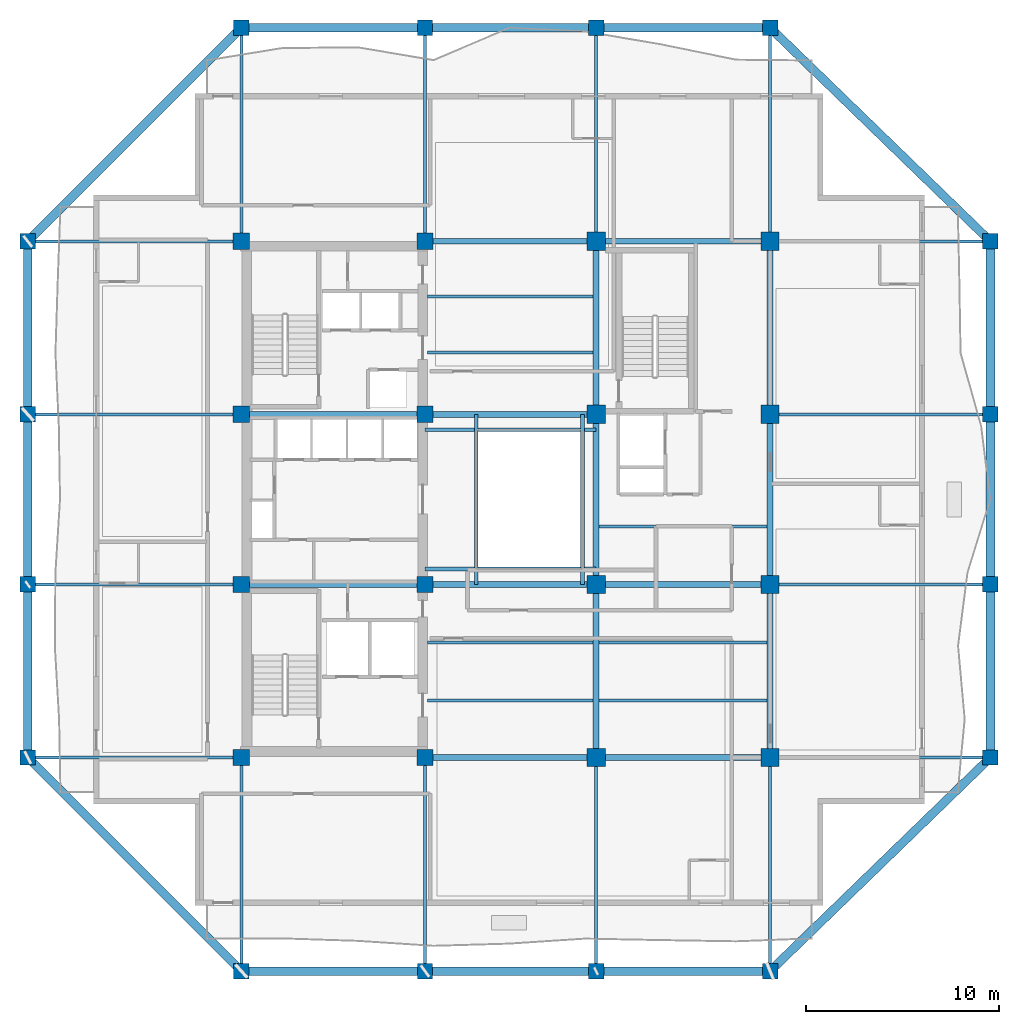
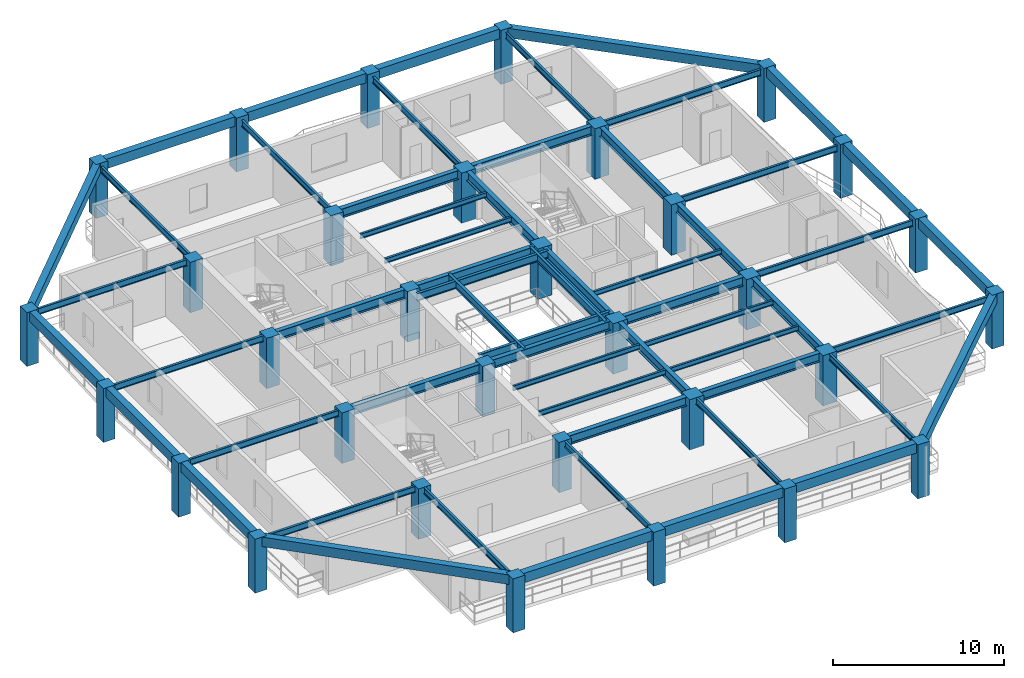
# One storey, part 1 of 12: 58 beams, 32 columns.
"""IFC4 building model written with IfcOpenShell, lengths in metres."""

from ifc_helpers import new_model, si_unit, direction, frame, origin, origin_2d, place, context, subcontext, project, spatial, rectangle, i_section, extrude, material, material_profile, profile_set, type_object, element, save


model = new_model("IFC4")

# Units and contexts
model_context = context("Model", 3, precision=1e-05, world=origin(), true_north=direction((0.0, 1.0)))
body_context = subcontext(model_context, "Body", "Model", "MODEL_VIEW")
ifc_project = project(units=[si_unit("LENGTHUNIT", "METRE"), si_unit("AREAUNIT", "SQUARE_METRE"), si_unit("VOLUMEUNIT", "CUBIC_METRE"), si_unit("PLANEANGLEUNIT", "RADIAN"), si_unit("MASSUNIT", "GRAM", prefix="KILO")], contexts=[model_context])

# Site, building, storey
site_placement = place(None, origin())
site = spatial("IfcSite", under=ifc_project, at=site_placement, CompositionType="ELEMENT")
building_placement = place(site_placement, origin())
building = spatial("IfcBuilding", under=site, at=building_placement, Name="Kundavana Baori Tower", CompositionType="ELEMENT")
storey_placement = place(building_placement, frame((0.0, 0.0, 157.89990234375)))
storey = spatial("IfcBuildingStorey", under=building, at=storey_placement, Name="L38", CompositionType="ELEMENT", Elevation=157.89990234375)

# Columns
ifc_material_1 = material(Name="Concrete C50/60", Category="concrete")
ifc_material_profile_1 = material_profile(ifc_material_1, rectangle(XDim=0.800048828125, YDim=0.800048828125, at=origin_2d()), Name="RC PF 800x800")
ifc_profile_set_1 = profile_set([ifc_material_profile_1], Name="Concrete C50/60")
column_type_1 = type_object("IfcColumnType", Name="COL-PF-800", PredefinedType="COLUMN", material=ifc_profile_set_1)
for number, where, z_axis, x_axis, name in (
    (1, (15.449951171875, 4.199951171875, 0.0), (0.0, 0.0, 1.0), (1.0, 0.0, 0.0), "L38 Stone-Clad Perimeter Frame Column PF-S1"),
    (2, (15.449951171875, 53.0, 0.0), (0.0, 0.0, 1.0), (1.0, 0.0, 0.0), "L38 Stone-Clad Perimeter Frame Column PF-N1"),
    (3, (24.949951171875, 4.199951171875, 0.0), (0.0, 0.0, 1.0), (1.0, 0.0, 0.0), "L38 Stone-Clad Perimeter Frame Column PF-S2"),
    (4, (24.949951171875, 53.0, 0.0), (0.0, 0.0, 1.0), (1.0, 0.0, 0.0), "L38 Stone-Clad Perimeter Frame Column PF-N2"),
    (5, (33.800048828125, 4.199951171875, 0.0), (0.0, 0.0, 1.0), (1.0, 0.0, 0.0), "L38 Stone-Clad Perimeter Frame Column PF-S3"),
    (6, (33.800048828125, 53.0, 0.0), (0.0, 0.0, 1.0), (1.0, 0.0, 0.0), "L38 Stone-Clad Perimeter Frame Column PF-N3"),
    (7, (42.800048828125, 4.199951171875, 0.0), (0.0, 0.0, 1.0), (1.0, 0.0, 0.0), "L38 Stone-Clad Perimeter Frame Column PF-S4"),
    (8, (42.800048828125, 53.0, 0.0), (0.0, 0.0, 1.0), (1.0, 0.0, 0.0), "L38 Stone-Clad Perimeter Frame Column PF-N4"),
    (9, (4.39990234375, 15.25, 0.0), (0.0, 0.0, 1.0), (1.0, 0.0, 0.0), "L38 Stone-Clad Perimeter Frame Column PF-W1"),
    (10, (54.199951171875, 15.25, 0.0), (0.0, 0.0, 1.0), (1.0, 0.0, 0.0), "L38 Stone-Clad Perimeter Frame Column PF-E1"),
    (11, (4.39990234375, 24.199951171875, 0.0), (0.0, 0.0, 1.0), (1.0, 0.0, 0.0), "L38 Stone-Clad Perimeter Frame Column PF-W2"),
    (12, (54.199951171875, 24.199951171875, 0.0), (0.0, 0.0, 1.0), (1.0, 0.0, 0.0), "L38 Stone-Clad Perimeter Frame Column PF-E2"),
    (13, (4.39990234375, 33.0, 0.0), (0.0, 0.0, 1.0), (1.0, 0.0, 0.0), "L38 Stone-Clad Perimeter Frame Column PF-W3"),
    (14, (54.199951171875, 33.0, 0.0), (0.0, 0.0, 1.0), (1.0, 0.0, 0.0), "L38 Stone-Clad Perimeter Frame Column PF-E3"),
    (15, (4.39990234375, 41.949951171875, 0.0), (0.0, 0.0, 1.0), (1.0, 0.0, 0.0), "L38 Stone-Clad Perimeter Frame Column PF-W4"),
    (16, (54.199951171875, 41.949951171875, 0.0), (0.0, 0.0, 1.0), (1.0, 0.0, 0.0), "L38 Stone-Clad Perimeter Frame Column PF-E4"),
):
    element("IfcColumn", number, at=place(storey_placement, frame(where, z_axis=z_axis, x_axis=x_axis)), inside=storey, type_object=column_type_1, Name=name, PredefinedType="COLUMN", context=body_context, shape_type="SweptSolid", body=[
        extrude(rectangle(XDim=0.800048828125, YDim=0.800048828125, at=origin_2d()), origin(), (0.0, 0.0, 1.0), 3.85009765625),
    ])
ifc_material_2 = material(Name="Concrete C50/60", Category="concrete")
ifc_material_profile_2 = material_profile(ifc_material_2, rectangle(XDim=0.85009765625, YDim=0.85009765625, at=origin_2d()), Name="RC 850x850")
ifc_profile_set_2 = profile_set([ifc_material_profile_2], Name="Concrete C50/60")
column_type_2 = type_object("IfcColumnType", Name="COL-RC-850", PredefinedType="COLUMN", material=ifc_profile_set_2)
for number, where, z_axis, x_axis, name in (
    (17, (15.449951171875, 15.25, 0.0), (0.0, 0.0, 1.0), (1.0, 0.0, 0.0), "L38 Interior Column IC-3C"),
    (18, (15.449951171875, 24.199951171875, 0.0), (0.0, 0.0, 1.0), (1.0, 0.0, 0.0), "L38 Interior Column IC-3D"),
    (19, (15.449951171875, 33.0, 0.0), (0.0, 0.0, 1.0), (1.0, 0.0, 0.0), "L38 Interior Column IC-3E"),
    (20, (15.449951171875, 41.949951171875, 0.0), (0.0, 0.0, 1.0), (1.0, 0.0, 0.0), "L38 Interior Column IC-3F"),
    (21, (24.949951171875, 15.25, 0.0), (0.0, 0.0, 1.0), (1.0, 0.0, 0.0), "L38 Interior Column IC-4C"),
    (22, (24.949951171875, 24.199951171875, 0.0), (0.0, 0.0, 1.0), (1.0, 0.0, 0.0), "L38 Interior Column IC-4D"),
    (23, (24.949951171875, 33.0, 0.0), (0.0, 0.0, 1.0), (1.0, 0.0, 0.0), "L38 Interior Column IC-4E"),
    (24, (24.949951171875, 41.949951171875, 0.0), (0.0, 0.0, 1.0), (1.0, 0.0, 0.0), "L38 Interior Column IC-4F"),
):
    element("IfcColumn", number, at=place(storey_placement, frame(where, z_axis=z_axis, x_axis=x_axis)), inside=storey, type_object=column_type_2, Name=name, PredefinedType="COLUMN", context=body_context, shape_type="SweptSolid", body=[
        extrude(rectangle(XDim=0.85009765625, YDim=0.85009765625, at=origin_2d()), origin(), (0.0, 0.0, 1.0), 3.60009765625),
    ])
ifc_material_3 = material(Name="Concrete C50/60", Category="concrete")
ifc_material_profile_3 = material_profile(ifc_material_3, rectangle(XDim=0.949951171875, YDim=0.949951171875, at=origin_2d()), Name="RC 950x950")
ifc_profile_set_3 = profile_set([ifc_material_profile_3], Name="Concrete C50/60")
column_type_3 = type_object("IfcColumnType", Name="COL-RC-950", PredefinedType="COLUMN", material=ifc_profile_set_3)
for number, where, z_axis, x_axis, name in (
    (25, (33.800048828125, 15.25, 0.0), (0.0, 0.0, 1.0), (1.0, 0.0, 0.0), "L38 Interior Column IC-5C"),
    (26, (33.800048828125, 24.199951171875, 0.0), (0.0, 0.0, 1.0), (1.0, 0.0, 0.0), "L38 Interior Column IC-5D"),
    (27, (33.800048828125, 33.0, 0.0), (0.0, 0.0, 1.0), (1.0, 0.0, 0.0), "L38 Interior Column IC-5E"),
    (28, (33.800048828125, 41.949951171875, 0.0), (0.0, 0.0, 1.0), (1.0, 0.0, 0.0), "L38 Interior Column IC-5F"),
    (29, (42.800048828125, 15.25, 0.0), (0.0, 0.0, 1.0), (1.0, 0.0, 0.0), "L38 Interior Column IC-6C"),
    (30, (42.800048828125, 24.199951171875, 0.0), (0.0, 0.0, 1.0), (1.0, 0.0, 0.0), "L38 Interior Column IC-6D"),
    (31, (42.800048828125, 33.0, 0.0), (0.0, 0.0, 1.0), (1.0, 0.0, 0.0), "L38 Interior Column IC-6E"),
    (32, (42.800048828125, 41.949951171875, 0.0), (0.0, 0.0, 1.0), (1.0, 0.0, 0.0), "L38 Interior Column IC-6F"),
):
    element("IfcColumn", number, at=place(storey_placement, frame(where, z_axis=z_axis, x_axis=x_axis)), inside=storey, type_object=column_type_3, Name=name, PredefinedType="COLUMN", context=body_context, shape_type="SweptSolid", body=[
        extrude(rectangle(XDim=0.949951171875, YDim=0.949951171875, at=origin_2d()), origin(), (0.0, 0.0, 1.0), 3.60009765625),
    ])

# Beams
ifc_material_4 = material(Name="Structural Steel S355JR", Category="steel")
ifc_material_profile_4 = material_profile(ifc_material_4, i_section(OverallWidth=0.139892578125, OverallDepth=0.35009765625, WebThickness=0.008056640625, FlangeThickness=0.01416015625, FilletRadius=0.013916015625, at=origin_2d()), Name="ISMB 350")
ifc_profile_set_4 = profile_set([ifc_material_profile_4], Name="Structural Steel S355JR")
beam_type_1 = type_object("IfcBeamType", Name="BM-JST-350", PredefinedType="JOIST", material=ifc_profile_set_4)
for number, where, z_axis, x_axis, name in (
    (33, (25.080078125, 18.199951171875, 3.425048828125), (1.0, 0.0, 0.0), (0.0, 1.0, 0.0), "L38 Central Bay Composite Floor Joist C1"),
    (34, (25.080078125, 21.199951171875, 3.425048828125), (1.0, 0.0, 0.0), (0.0, 1.0, 0.0), "L38 Central Bay Composite Floor Joist C2"),
    (35, (25.080078125, 36.199951171875, 3.425048828125), (1.0, 0.0, 0.0), (0.0, 1.0, 0.0), "L38 Central Bay Composite Floor Joist C3"),
    (36, (25.080078125, 39.10009765625, 3.425048828125), (1.0, 0.0, 0.0), (0.0, 1.0, 0.0), "L38 Central Bay Composite Floor Joist C4"),
):
    element("IfcBeam", number, at=place(storey_placement, frame(where, z_axis=z_axis, x_axis=x_axis)), inside=storey, type_object=beam_type_1, Name=name, PredefinedType="JOIST", context=body_context, shape_type="SweptSolid", body=[
        extrude(i_section(OverallWidth=0.139892578125, OverallDepth=0.35009765625, WebThickness=0.008056640625, FlangeThickness=0.01416015625, FilletRadius=0.013916015625, at=origin_2d()), origin(), (0.0, 0.0, 1.0), 8.56982421875),
    ])
for number, where, z_axis, x_axis, name in (
    (37, (33.949951171875, 18.199951171875, 3.425048828125), (1.0, 0.0, 0.0), (0.0, 1.0, 0.0), "L38 East Bay Composite Floor Joist E1"),
    (38, (33.949951171875, 21.199951171875, 3.425048828125), (1.0, 0.0, 0.0), (0.0, 1.0, 0.0), "L38 East Bay Composite Floor Joist E2"),
    (39, (33.949951171875, 27.199951171875, 3.425048828125), (1.0, 0.0, 0.0), (0.0, 1.0, 0.0), "L38 East Bay Composite Floor Joist E3"),
):
    element("IfcBeam", number, at=place(storey_placement, frame(where, z_axis=z_axis, x_axis=x_axis)), inside=storey, type_object=beam_type_1, Name=name, PredefinedType="JOIST", context=body_context, shape_type="SweptSolid", body=[
        extrude(i_section(OverallWidth=0.139892578125, OverallDepth=0.35009765625, WebThickness=0.008056640625, FlangeThickness=0.01416015625, FilletRadius=0.013916015625, at=origin_2d()), origin(), (0.0, 0.0, 1.0), 8.699951171875),
    ])
ifc_material_5 = material(Name="Concrete C50/60", Category="concrete")
ifc_material_profile_5 = material_profile(ifc_material_5, rectangle(XDim=0.449951171875, YDim=0.679931640625, at=origin_2d()), Name="RC BM 450x680")
ifc_profile_set_5 = profile_set([ifc_material_profile_5], Name="Concrete C50/60")
beam_type_2 = type_object("IfcBeamType", Name="BM-PF-680", PredefinedType="SPANDREL", material=ifc_profile_set_5)
beam_1_placement = place(storey_placement, frame((15.449951171875, 4.199951171875, 3.510009765625), z_axis=(1.0, 0.0, 0.0), x_axis=(0.0, 1.0, 0.0)))
element("IfcBeam", 40, at=beam_1_placement, inside=storey, type_object=beam_type_2, Name="L38 Perimeter Frame Ring Beam S1", PredefinedType="SPANDREL", context=body_context, shape_type="SweptSolid", body=[
    extrude(rectangle(XDim=0.449951171875, YDim=0.679931640625, at=origin_2d()), origin(), (0.0, 0.0, 1.0), 9.5),
])
beam_2_placement = place(storey_placement, frame((24.949951171875, 4.199951171875, 3.510009765625), z_axis=(1.0, 0.0, 0.0), x_axis=(0.0, 1.0, 0.0)))
element("IfcBeam", 41, at=beam_2_placement, inside=storey, type_object=beam_type_2, Name="L38 Perimeter Frame Ring Beam S2", PredefinedType="SPANDREL", context=body_context, shape_type="SweptSolid", body=[
    extrude(rectangle(XDim=0.449951171875, YDim=0.679931640625, at=origin_2d()), origin(), (0.0, 0.0, 1.0), 8.85009765625),
])
beam_3_placement = place(storey_placement, frame((33.800048828125, 4.199951171875, 3.510009765625), z_axis=(1.0, 0.0, 0.0), x_axis=(0.0, 1.0, 0.0)))
element("IfcBeam", 42, at=beam_3_placement, inside=storey, type_object=beam_type_2, Name="L38 Perimeter Frame Ring Beam S3", PredefinedType="SPANDREL", context=body_context, shape_type="SweptSolid", body=[
    extrude(rectangle(XDim=0.449951171875, YDim=0.679931640625, at=origin_2d()), origin(), (0.0, 0.0, 1.0), 9.0),
])
beam_4_placement = place(storey_placement, frame((15.449951171875, 53.0, 3.510009765625), z_axis=(1.0, 0.0, 0.0), x_axis=(0.0, 1.0, 0.0)))
element("IfcBeam", 43, at=beam_4_placement, inside=storey, type_object=beam_type_2, Name="L38 Perimeter Frame Ring Beam N1", PredefinedType="SPANDREL", context=body_context, shape_type="SweptSolid", body=[
    extrude(rectangle(XDim=0.449951171875, YDim=0.679931640625, at=origin_2d()), origin(), (0.0, 0.0, 1.0), 9.5),
])
beam_5_placement = place(storey_placement, frame((24.949951171875, 53.0, 3.510009765625), z_axis=(1.0, 0.0, 0.0), x_axis=(0.0, 1.0, 0.0)))
element("IfcBeam", 44, at=beam_5_placement, inside=storey, type_object=beam_type_2, Name="L38 Perimeter Frame Ring Beam N2", PredefinedType="SPANDREL", context=body_context, shape_type="SweptSolid", body=[
    extrude(rectangle(XDim=0.449951171875, YDim=0.679931640625, at=origin_2d()), origin(), (0.0, 0.0, 1.0), 8.85009765625),
])
beam_6_placement = place(storey_placement, frame((33.800048828125, 53.0, 3.510009765625), z_axis=(1.0, 0.0, 0.0), x_axis=(0.0, 1.0, 0.0)))
element("IfcBeam", 45, at=beam_6_placement, inside=storey, type_object=beam_type_2, Name="L38 Perimeter Frame Ring Beam N3", PredefinedType="SPANDREL", context=body_context, shape_type="SweptSolid", body=[
    extrude(rectangle(XDim=0.449951171875, YDim=0.679931640625, at=origin_2d()), origin(), (0.0, 0.0, 1.0), 9.0),
])
beam_7_placement = place(storey_placement, frame((4.39990234375, 15.25, 3.510009765625), z_axis=(0.0, 1.0, 0.0), x_axis=(-1.0, 0.0, 0.0)))
element("IfcBeam", 46, at=beam_7_placement, inside=storey, type_object=beam_type_2, Name="L38 Perimeter Frame Ring Beam W1", PredefinedType="SPANDREL", context=body_context, shape_type="SweptSolid", body=[
    extrude(rectangle(XDim=0.449951171875, YDim=0.679931640625, at=origin_2d()), origin(), (0.0, 0.0, 1.0), 8.949951171875),
])
beam_8_placement = place(storey_placement, frame((4.39990234375, 24.199951171875, 3.510009765625), z_axis=(0.0, 1.0, 0.0), x_axis=(-1.0, 0.0, 0.0)))
element("IfcBeam", 47, at=beam_8_placement, inside=storey, type_object=beam_type_2, Name="L38 Perimeter Frame Ring Beam W2", PredefinedType="SPANDREL", context=body_context, shape_type="SweptSolid", body=[
    extrude(rectangle(XDim=0.449951171875, YDim=0.679931640625, at=origin_2d()), origin(), (0.0, 0.0, 1.0), 8.800048828125),
])
for number, where, z_axis, x_axis, name in (
    (48, (4.39990234375, 33.0, 3.510009765625), (0.0, 1.0, 0.0), (-1.0, 0.0, 0.0), "L38 Perimeter Frame Ring Beam W3"),
    (49, (54.199951171875, 15.25, 3.510009765625), (0.0, 1.0, 0.0), (-1.0, 0.0, 0.0), "L38 Perimeter Frame Ring Beam E1"),
):
    element("IfcBeam", number, at=place(storey_placement, frame(where, z_axis=z_axis, x_axis=x_axis)), inside=storey, type_object=beam_type_2, Name=name, PredefinedType="SPANDREL", context=body_context, shape_type="SweptSolid", body=[
        extrude(rectangle(XDim=0.449951171875, YDim=0.679931640625, at=origin_2d()), origin(), (0.0, 0.0, 1.0), 8.949951171875),
    ])
beam_9_placement = place(storey_placement, frame((54.199951171875, 24.199951171875, 3.510009765625), z_axis=(0.0, 1.0, 0.0), x_axis=(-1.0, 0.0, 0.0)))
element("IfcBeam", 50, at=beam_9_placement, inside=storey, type_object=beam_type_2, Name="L38 Perimeter Frame Ring Beam E2", PredefinedType="SPANDREL", context=body_context, shape_type="SweptSolid", body=[
    extrude(rectangle(XDim=0.449951171875, YDim=0.679931640625, at=origin_2d()), origin(), (0.0, 0.0, 1.0), 8.800048828125),
])
beam_10_placement = place(storey_placement, frame((54.199951171875, 33.0, 3.510009765625), z_axis=(0.0, 1.0, 0.0), x_axis=(-1.0, 0.0, 0.0)))
element("IfcBeam", 51, at=beam_10_placement, inside=storey, type_object=beam_type_2, Name="L38 Perimeter Frame Ring Beam E3", PredefinedType="SPANDREL", context=body_context, shape_type="SweptSolid", body=[
    extrude(rectangle(XDim=0.449951171875, YDim=0.679931640625, at=origin_2d()), origin(), (0.0, 0.0, 1.0), 8.949951171875),
])
beam_11_placement = place(storey_placement, frame((15.449951171875, 4.199951171875, 3.510009765625), z_axis=(-0.707106781187, 0.707106781187, 0.0), x_axis=(-0.707106781187, -0.707106781187, 0.0)))
element("IfcBeam", 52, at=beam_11_placement, inside=storey, type_object=beam_type_2, Name="L38 Notched Corner Perimeter Beam SW", PredefinedType="SPANDREL", context=body_context, shape_type="SweptSolid", body=[
    extrude(rectangle(XDim=0.449951171875, YDim=0.679931640625, at=origin_2d()), origin(), (0.0, 0.0, 1.0), 15.627197265625),
])
beam_12_placement = place(storey_placement, frame((42.800048828125, 4.199951171875, 3.510009765625), z_axis=(0.718038944492, 0.696002926857, 0.0), x_axis=(-0.696002926857, 0.718038944492, 0.0)))
element("IfcBeam", 53, at=beam_12_placement, inside=storey, type_object=beam_type_2, Name="L38 Notched Corner Perimeter Beam SE", PredefinedType="SPANDREL", context=body_context, shape_type="SweptSolid", body=[
    extrude(rectangle(XDim=0.449951171875, YDim=0.679931640625, at=origin_2d()), origin(), (0.0, 0.0, 1.0), 15.87646484375),
])
beam_13_placement = place(storey_placement, frame((15.449951171875, 53.0, 3.510009765625), z_axis=(-0.707106781187, -0.707106781187, 0.0), x_axis=(0.707106781187, -0.707106781187, 0.0)))
element("IfcBeam", 54, at=beam_13_placement, inside=storey, type_object=beam_type_2, Name="L38 Notched Corner Perimeter Beam NW", PredefinedType="SPANDREL", context=body_context, shape_type="SweptSolid", body=[
    extrude(rectangle(XDim=0.449951171875, YDim=0.679931640625, at=origin_2d()), origin(), (0.0, 0.0, 1.0), 15.627197265625),
])
beam_14_placement = place(storey_placement, frame((42.800048828125, 53.0, 3.510009765625), z_axis=(0.718038944492, -0.696002926857, 0.0), x_axis=(0.696002926857, 0.718038944492, 0.0)))
element("IfcBeam", 55, at=beam_14_placement, inside=storey, type_object=beam_type_2, Name="L38 Notched Corner Perimeter Beam NE", PredefinedType="SPANDREL", context=body_context, shape_type="SweptSolid", body=[
    extrude(rectangle(XDim=0.449951171875, YDim=0.679931640625, at=origin_2d()), origin(), (0.0, 0.0, 1.0), 15.87646484375),
])
ifc_material_6 = material(Name="Structural Steel S355JR", Category="steel")
ifc_material_profile_6 = material_profile(ifc_material_6, i_section(OverallWidth=0.18994140625, OverallDepth=0.550048828125, WebThickness=0.01123046875, FlangeThickness=0.019287109375, FilletRadius=0.01806640625, at=origin_2d()), Name="ISMB 550")
ifc_profile_set_6 = profile_set([ifc_material_profile_6], Name="Structural Steel S355JR")
beam_type_3 = type_object("IfcBeamType", Name="BM-ST-550", PredefinedType="BEAM", material=ifc_profile_set_6)
for number, where, z_axis, x_axis, name in (
    (56, (27.60009765625, 24.199951171875, 3.3251953125), (0.0, 1.0, 0.0), (-1.0, 0.0, 0.0), "L38 Atrium West Edge Beam"),
    (57, (33.10009765625, 24.199951171875, 3.3251953125), (0.0, 1.0, 0.0), (-1.0, 0.0, 0.0), "L38 Atrium East Edge Beam"),
):
    element("IfcBeam", number, at=place(storey_placement, frame(where, z_axis=z_axis, x_axis=x_axis)), inside=storey, type_object=beam_type_3, Name=name, PredefinedType="BEAM", context=body_context, shape_type="SweptSolid", body=[
        extrude(i_section(OverallWidth=0.18994140625, OverallDepth=0.550048828125, WebThickness=0.01123046875, FlangeThickness=0.019287109375, FilletRadius=0.01806640625, at=origin_2d()), origin(), (0.0, 0.0, 1.0), 8.800048828125),
    ])
for number, where, z_axis, x_axis, name in (
    (58, (24.949951171875, 25.0, 3.3251953125), (1.0, 0.0, 0.0), (0.0, 1.0, 0.0), "L38 Atrium South Edge Beam"),
    (59, (24.949951171875, 32.199951171875, 3.3251953125), (1.0, 0.0, 0.0), (0.0, 1.0, 0.0), "L38 Atrium North Edge Beam"),
):
    element("IfcBeam", number, at=place(storey_placement, frame(where, z_axis=z_axis, x_axis=x_axis)), inside=storey, type_object=beam_type_3, Name=name, PredefinedType="BEAM", context=body_context, shape_type="SweptSolid", body=[
        extrude(i_section(OverallWidth=0.18994140625, OverallDepth=0.550048828125, WebThickness=0.01123046875, FlangeThickness=0.019287109375, FilletRadius=0.01806640625, at=origin_2d()), origin(), (0.0, 0.0, 1.0), 8.85009765625),
    ])
ifc_material_7 = material(Name="Structural Steel S355JR", Category="steel")
ifc_material_profile_7 = material_profile(ifc_material_7, i_section(OverallWidth=0.300048828125, OverallDepth=0.64990234375, WebThickness=0.013427734375, FlangeThickness=0.02197265625, FilletRadius=0.02392578125, at=origin_2d()), Name="NPB 650x300x155")
ifc_profile_set_7 = profile_set([ifc_material_profile_7], Name="Structural Steel S355JR")
beam_type_4 = type_object("IfcBeamType", Name="BM-ST-650", PredefinedType="BEAM", material=ifc_profile_set_7)
beam_15_placement = place(storey_placement, frame((24.949951171875, 15.25, 3.275146484375), z_axis=(1.0, 0.0, 0.0), x_axis=(0.0, 1.0, 0.0)))
element("IfcBeam", 60, at=beam_15_placement, inside=storey, type_object=beam_type_4, Name="L38 Primary Grid Girder GX-1-2", PredefinedType="BEAM", context=body_context, shape_type="SweptSolid", body=[
    extrude(i_section(OverallWidth=0.300048828125, OverallDepth=0.64990234375, WebThickness=0.013427734375, FlangeThickness=0.02197265625, FilletRadius=0.02392578125, at=origin_2d()), origin(), (0.0, 0.0, 1.0), 8.85009765625),
])
beam_16_placement = place(storey_placement, frame((33.800048828125, 15.25, 3.275146484375), z_axis=(1.0, 0.0, 0.0), x_axis=(0.0, 1.0, 0.0)))
element("IfcBeam", 61, at=beam_16_placement, inside=storey, type_object=beam_type_4, Name="L38 Primary Grid Girder GX-1-3", PredefinedType="BEAM", context=body_context, shape_type="SweptSolid", body=[
    extrude(i_section(OverallWidth=0.300048828125, OverallDepth=0.64990234375, WebThickness=0.013427734375, FlangeThickness=0.02197265625, FilletRadius=0.02392578125, at=origin_2d()), origin(), (0.0, 0.0, 1.0), 9.0),
])
beam_17_placement = place(storey_placement, frame((15.449951171875, 24.199951171875, 3.275146484375), z_axis=(1.0, 0.0, 0.0), x_axis=(0.0, 1.0, 0.0)))
element("IfcBeam", 62, at=beam_17_placement, inside=storey, type_object=beam_type_4, Name="L38 Primary Grid Girder GX-2-1", PredefinedType="BEAM", context=body_context, shape_type="SweptSolid", body=[
    extrude(i_section(OverallWidth=0.300048828125, OverallDepth=0.64990234375, WebThickness=0.013427734375, FlangeThickness=0.02197265625, FilletRadius=0.02392578125, at=origin_2d()), origin(), (0.0, 0.0, 1.0), 9.5),
])
beam_18_placement = place(storey_placement, frame((24.949951171875, 24.199951171875, 3.275146484375), z_axis=(1.0, 0.0, 0.0), x_axis=(0.0, 1.0, 0.0)))
element("IfcBeam", 63, at=beam_18_placement, inside=storey, type_object=beam_type_4, Name="L38 Primary Grid Girder GX-2-2", PredefinedType="BEAM", context=body_context, shape_type="SweptSolid", body=[
    extrude(i_section(OverallWidth=0.300048828125, OverallDepth=0.64990234375, WebThickness=0.013427734375, FlangeThickness=0.02197265625, FilletRadius=0.02392578125, at=origin_2d()), origin(), (0.0, 0.0, 1.0), 8.85009765625),
])
beam_19_placement = place(storey_placement, frame((33.800048828125, 24.199951171875, 3.275146484375), z_axis=(1.0, 0.0, 0.0), x_axis=(0.0, 1.0, 0.0)))
element("IfcBeam", 64, at=beam_19_placement, inside=storey, type_object=beam_type_4, Name="L38 Primary Grid Girder GX-2-3", PredefinedType="BEAM", context=body_context, shape_type="SweptSolid", body=[
    extrude(i_section(OverallWidth=0.300048828125, OverallDepth=0.64990234375, WebThickness=0.013427734375, FlangeThickness=0.02197265625, FilletRadius=0.02392578125, at=origin_2d()), origin(), (0.0, 0.0, 1.0), 9.0),
])
beam_20_placement = place(storey_placement, frame((15.449951171875, 33.0, 3.275146484375), z_axis=(1.0, 0.0, 0.0), x_axis=(0.0, 1.0, 0.0)))
element("IfcBeam", 65, at=beam_20_placement, inside=storey, type_object=beam_type_4, Name="L38 Primary Grid Girder GX-3-1", PredefinedType="BEAM", context=body_context, shape_type="SweptSolid", body=[
    extrude(i_section(OverallWidth=0.300048828125, OverallDepth=0.64990234375, WebThickness=0.013427734375, FlangeThickness=0.02197265625, FilletRadius=0.02392578125, at=origin_2d()), origin(), (0.0, 0.0, 1.0), 9.5),
])
for number, where, z_axis, x_axis, name in (
    (66, (24.949951171875, 33.0, 3.275146484375), (1.0, 0.0, 0.0), (0.0, 1.0, 0.0), "L38 Primary Grid Girder GX-3-2"),
    (67, (24.949951171875, 41.949951171875, 3.275146484375), (1.0, 0.0, 0.0), (0.0, 1.0, 0.0), "L38 Primary Grid Girder GX-4-2"),
):
    element("IfcBeam", number, at=place(storey_placement, frame(where, z_axis=z_axis, x_axis=x_axis)), inside=storey, type_object=beam_type_4, Name=name, PredefinedType="BEAM", context=body_context, shape_type="SweptSolid", body=[
        extrude(i_section(OverallWidth=0.300048828125, OverallDepth=0.64990234375, WebThickness=0.013427734375, FlangeThickness=0.02197265625, FilletRadius=0.02392578125, at=origin_2d()), origin(), (0.0, 0.0, 1.0), 8.85009765625),
    ])
beam_21_placement = place(storey_placement, frame((33.800048828125, 41.949951171875, 3.275146484375), z_axis=(1.0, 0.0, 0.0), x_axis=(0.0, 1.0, 0.0)))
element("IfcBeam", 68, at=beam_21_placement, inside=storey, type_object=beam_type_4, Name="L38 Primary Grid Girder GX-4-3", PredefinedType="BEAM", context=body_context, shape_type="SweptSolid", body=[
    extrude(i_section(OverallWidth=0.300048828125, OverallDepth=0.64990234375, WebThickness=0.013427734375, FlangeThickness=0.02197265625, FilletRadius=0.02392578125, at=origin_2d()), origin(), (0.0, 0.0, 1.0), 9.0),
])
beam_22_placement = place(storey_placement, frame((33.800048828125, 15.25, 3.275146484375), z_axis=(0.0, 1.0, 0.0), x_axis=(-1.0, 0.0, 0.0)))
element("IfcBeam", 69, at=beam_22_placement, inside=storey, type_object=beam_type_4, Name="L38 Primary Grid Girder GY-3-1", PredefinedType="BEAM", context=body_context, shape_type="SweptSolid", body=[
    extrude(i_section(OverallWidth=0.300048828125, OverallDepth=0.64990234375, WebThickness=0.013427734375, FlangeThickness=0.02197265625, FilletRadius=0.02392578125, at=origin_2d()), origin(), (0.0, 0.0, 1.0), 8.949951171875),
])
beam_23_placement = place(storey_placement, frame((33.800048828125, 24.199951171875, 3.275146484375), z_axis=(0.0, 1.0, 0.0), x_axis=(-1.0, 0.0, 0.0)))
element("IfcBeam", 70, at=beam_23_placement, inside=storey, type_object=beam_type_4, Name="L38 Primary Grid Girder GY-3-2", PredefinedType="BEAM", context=body_context, shape_type="SweptSolid", body=[
    extrude(i_section(OverallWidth=0.300048828125, OverallDepth=0.64990234375, WebThickness=0.013427734375, FlangeThickness=0.02197265625, FilletRadius=0.02392578125, at=origin_2d()), origin(), (0.0, 0.0, 1.0), 8.800048828125),
])
for number, where, z_axis, x_axis, name in (
    (71, (33.800048828125, 33.0, 3.275146484375), (0.0, 1.0, 0.0), (-1.0, 0.0, 0.0), "L38 Primary Grid Girder GY-3-3"),
    (72, (42.800048828125, 15.25, 3.275146484375), (0.0, 1.0, 0.0), (-1.0, 0.0, 0.0), "L38 Primary Grid Girder GY-4-1"),
):
    element("IfcBeam", number, at=place(storey_placement, frame(where, z_axis=z_axis, x_axis=x_axis)), inside=storey, type_object=beam_type_4, Name=name, PredefinedType="BEAM", context=body_context, shape_type="SweptSolid", body=[
        extrude(i_section(OverallWidth=0.300048828125, OverallDepth=0.64990234375, WebThickness=0.013427734375, FlangeThickness=0.02197265625, FilletRadius=0.02392578125, at=origin_2d()), origin(), (0.0, 0.0, 1.0), 8.949951171875),
    ])
beam_24_placement = place(storey_placement, frame((42.800048828125, 24.199951171875, 3.275146484375), z_axis=(0.0, 1.0, 0.0), x_axis=(-1.0, 0.0, 0.0)))
element("IfcBeam", 73, at=beam_24_placement, inside=storey, type_object=beam_type_4, Name="L38 Primary Grid Girder GY-4-2", PredefinedType="BEAM", context=body_context, shape_type="SweptSolid", body=[
    extrude(i_section(OverallWidth=0.300048828125, OverallDepth=0.64990234375, WebThickness=0.013427734375, FlangeThickness=0.02197265625, FilletRadius=0.02392578125, at=origin_2d()), origin(), (0.0, 0.0, 1.0), 8.800048828125),
])
beam_25_placement = place(storey_placement, frame((42.800048828125, 33.0, 3.275146484375), z_axis=(0.0, 1.0, 0.0), x_axis=(-1.0, 0.0, 0.0)))
element("IfcBeam", 74, at=beam_25_placement, inside=storey, type_object=beam_type_4, Name="L38 Primary Grid Girder GY-4-3", PredefinedType="BEAM", context=body_context, shape_type="SweptSolid", body=[
    extrude(i_section(OverallWidth=0.300048828125, OverallDepth=0.64990234375, WebThickness=0.013427734375, FlangeThickness=0.02197265625, FilletRadius=0.02392578125, at=origin_2d()), origin(), (0.0, 0.0, 1.0), 8.949951171875),
])
ifc_material_8 = material(Name="Structural Steel S355JR", Category="steel")
ifc_material_profile_8 = material_profile(ifc_material_8, i_section(OverallWidth=0.14990234375, OverallDepth=0.449951171875, WebThickness=0.009521484375, FlangeThickness=0.017333984375, FilletRadius=0.014892578125, at=origin_2d()), Name="ISMB 450")
ifc_profile_set_8 = profile_set([ifc_material_profile_8], Name="Structural Steel S355JR")
beam_type_5 = type_object("IfcBeamType", Name="BM-TIE-450", PredefinedType="BEAM", material=ifc_profile_set_8)
for number, where, z_axis, x_axis, name in (
    (75, (15.449951171875, 15.25, 3.375), (0.0, -1.0, 0.0), (1.0, 0.0, 0.0), "L38 South Radial Loggia Tie Beam S1"),
    (76, (15.449951171875, 41.949951171875, 3.375), (0.0, 1.0, 0.0), (-1.0, 0.0, 0.0), "L38 North Radial Loggia Tie Beam N1"),
    (77, (24.949951171875, 15.25, 3.375), (0.0, -1.0, 0.0), (1.0, 0.0, 0.0), "L38 South Radial Loggia Tie Beam S2"),
    (78, (24.949951171875, 41.949951171875, 3.375), (0.0, 1.0, 0.0), (-1.0, 0.0, 0.0), "L38 North Radial Loggia Tie Beam N2"),
    (79, (33.800048828125, 15.25, 3.375), (0.0, -1.0, 0.0), (1.0, 0.0, 0.0), "L38 South Radial Loggia Tie Beam S3"),
    (80, (33.800048828125, 41.949951171875, 3.375), (0.0, 1.0, 0.0), (-1.0, 0.0, 0.0), "L38 North Radial Loggia Tie Beam N3"),
    (81, (42.800048828125, 15.25, 3.375), (0.0, -1.0, 0.0), (1.0, 0.0, 0.0), "L38 South Radial Loggia Tie Beam S4"),
    (82, (42.800048828125, 41.949951171875, 3.375), (0.0, 1.0, 0.0), (-1.0, 0.0, 0.0), "L38 North Radial Loggia Tie Beam N4"),
    (83, (15.449951171875, 15.25, 3.375), (-1.0, 0.0, 0.0), (0.0, -1.0, 0.0), "L38 West Radial Loggia Tie Beam W1"),
):
    element("IfcBeam", number, at=place(storey_placement, frame(where, z_axis=z_axis, x_axis=x_axis)), inside=storey, type_object=beam_type_5, Name=name, PredefinedType="BEAM", context=body_context, shape_type="SweptSolid", body=[
        extrude(i_section(OverallWidth=0.14990234375, OverallDepth=0.449951171875, WebThickness=0.009521484375, FlangeThickness=0.017333984375, FilletRadius=0.014892578125, at=origin_2d()), origin(), (0.0, 0.0, 1.0), 11.050048828125),
    ])
beam_26_placement = place(storey_placement, frame((42.800048828125, 15.25, 3.375), z_axis=(1.0, 0.0, 0.0), x_axis=(0.0, 1.0, 0.0)))
element("IfcBeam", 84, at=beam_26_placement, inside=storey, type_object=beam_type_5, Name="L38 East Radial Loggia Tie Beam E1", PredefinedType="BEAM", context=body_context, shape_type="SweptSolid", body=[
    extrude(i_section(OverallWidth=0.14990234375, OverallDepth=0.449951171875, WebThickness=0.009521484375, FlangeThickness=0.017333984375, FilletRadius=0.014892578125, at=origin_2d()), origin(), (0.0, 0.0, 1.0), 11.39990234375),
])
beam_27_placement = place(storey_placement, frame((15.449951171875, 24.199951171875, 3.375), z_axis=(-1.0, 0.0, 0.0), x_axis=(0.0, -1.0, 0.0)))
element("IfcBeam", 85, at=beam_27_placement, inside=storey, type_object=beam_type_5, Name="L38 West Radial Loggia Tie Beam W2", PredefinedType="BEAM", context=body_context, shape_type="SweptSolid", body=[
    extrude(i_section(OverallWidth=0.14990234375, OverallDepth=0.449951171875, WebThickness=0.009521484375, FlangeThickness=0.017333984375, FilletRadius=0.014892578125, at=origin_2d()), origin(), (0.0, 0.0, 1.0), 11.050048828125),
])
beam_28_placement = place(storey_placement, frame((42.800048828125, 24.199951171875, 3.375), z_axis=(1.0, 0.0, 0.0), x_axis=(0.0, 1.0, 0.0)))
element("IfcBeam", 86, at=beam_28_placement, inside=storey, type_object=beam_type_5, Name="L38 East Radial Loggia Tie Beam E2", PredefinedType="BEAM", context=body_context, shape_type="SweptSolid", body=[
    extrude(i_section(OverallWidth=0.14990234375, OverallDepth=0.449951171875, WebThickness=0.009521484375, FlangeThickness=0.017333984375, FilletRadius=0.014892578125, at=origin_2d()), origin(), (0.0, 0.0, 1.0), 11.39990234375),
])
beam_29_placement = place(storey_placement, frame((15.449951171875, 33.0, 3.375), z_axis=(-1.0, 0.0, 0.0), x_axis=(0.0, -1.0, 0.0)))
element("IfcBeam", 87, at=beam_29_placement, inside=storey, type_object=beam_type_5, Name="L38 West Radial Loggia Tie Beam W3", PredefinedType="BEAM", context=body_context, shape_type="SweptSolid", body=[
    extrude(i_section(OverallWidth=0.14990234375, OverallDepth=0.449951171875, WebThickness=0.009521484375, FlangeThickness=0.017333984375, FilletRadius=0.014892578125, at=origin_2d()), origin(), (0.0, 0.0, 1.0), 11.050048828125),
])
beam_30_placement = place(storey_placement, frame((42.800048828125, 33.0, 3.375), z_axis=(1.0, 0.0, 0.0), x_axis=(0.0, 1.0, 0.0)))
element("IfcBeam", 88, at=beam_30_placement, inside=storey, type_object=beam_type_5, Name="L38 East Radial Loggia Tie Beam E3", PredefinedType="BEAM", context=body_context, shape_type="SweptSolid", body=[
    extrude(i_section(OverallWidth=0.14990234375, OverallDepth=0.449951171875, WebThickness=0.009521484375, FlangeThickness=0.017333984375, FilletRadius=0.014892578125, at=origin_2d()), origin(), (0.0, 0.0, 1.0), 11.39990234375),
])
beam_31_placement = place(storey_placement, frame((15.449951171875, 41.949951171875, 3.375), z_axis=(-1.0, 0.0, 0.0), x_axis=(0.0, -1.0, 0.0)))
element("IfcBeam", 89, at=beam_31_placement, inside=storey, type_object=beam_type_5, Name="L38 West Radial Loggia Tie Beam W4", PredefinedType="BEAM", context=body_context, shape_type="SweptSolid", body=[
    extrude(i_section(OverallWidth=0.14990234375, OverallDepth=0.449951171875, WebThickness=0.009521484375, FlangeThickness=0.017333984375, FilletRadius=0.014892578125, at=origin_2d()), origin(), (0.0, 0.0, 1.0), 11.050048828125),
])
beam_32_placement = place(storey_placement, frame((42.800048828125, 41.949951171875, 3.375), z_axis=(1.0, 0.0, 0.0), x_axis=(0.0, 1.0, 0.0)))
element("IfcBeam", 90, at=beam_32_placement, inside=storey, type_object=beam_type_5, Name="L38 East Radial Loggia Tie Beam E4", PredefinedType="BEAM", context=body_context, shape_type="SweptSolid", body=[
    extrude(i_section(OverallWidth=0.14990234375, OverallDepth=0.449951171875, WebThickness=0.009521484375, FlangeThickness=0.017333984375, FilletRadius=0.014892578125, at=origin_2d()), origin(), (0.0, 0.0, 1.0), 11.39990234375),
])

save(model, "model.ifc")
